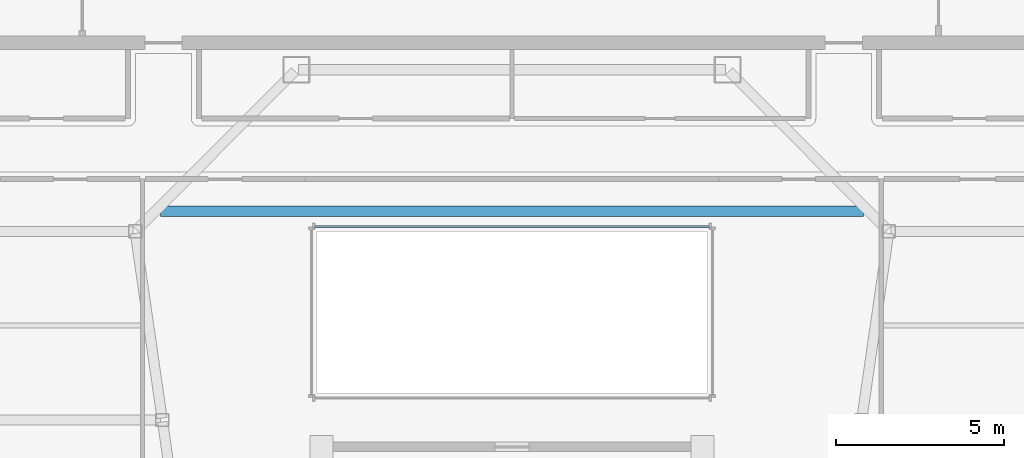
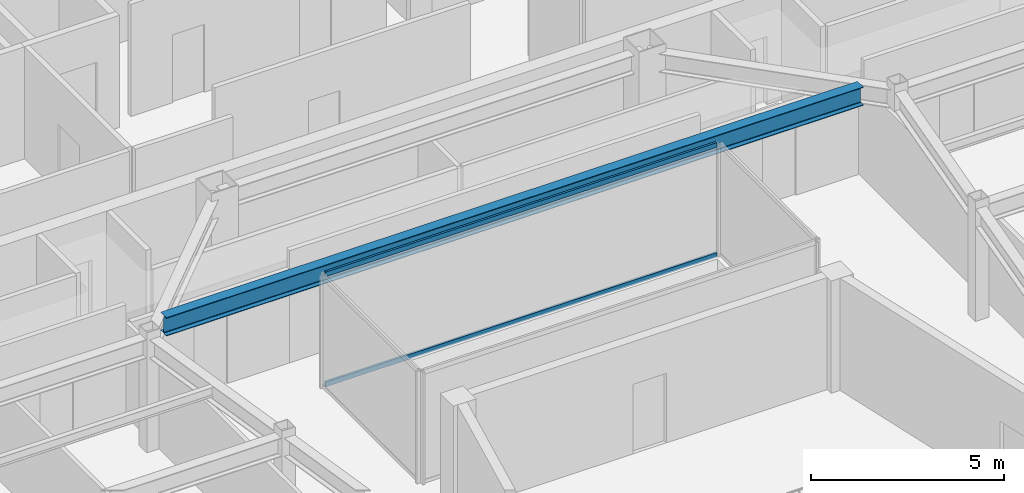
# One storey, part 9 of 31: 2 members, 1 beam, 1 element without a shape of its own.
"""IFC4 building model written with IfcOpenShell, lengths in metres."""

import ifcopenshell
import ifcopenshell.guid

model = None  # the IFC model being written
_history = None  # IfcOwnerHistory: only IFC2X3 demands one
_inside = {}  # id of a spatial element -> (the spatial element, [elements in it])
_under = {}  # id of a project, library or spatial element -> (it, [spatial elements below it])
_declared = {}  # id of a project -> (the project, [libraries it declares])
_typed = {}  # id of a type object -> (the type object, [elements of that type])
_made_of = {}  # id of a material, layer set ... -> (it, [elements and type objects made of it])


def new_model(schema):
    """Start an empty IFC model of exactly this schema.

    Asked for "IFC4X3", IfcOpenShell would pick the latest addendum, in which some entities
    have other attributes; the version numbers below select the first issue.
    IFC2X3 requires an IfcOwnerHistory on every rooted entity: one is made here for all.
    """
    global model, _history
    if schema == "IFC4X3":
        model = ifcopenshell.file(schema_version=(4, 3, 0, 0))
    else:
        model = ifcopenshell.file(schema=schema)
    _inside.clear()
    _under.clear()
    _declared.clear()
    _typed.clear()
    _made_of.clear()
    _history = None
    if model.schema == "IFC2X3":
        org = make("IfcOrganization", Name="unknown")
        user = make(
            "IfcPersonAndOrganization",
            ThePerson=make("IfcPerson", FamilyName="unknown"),
            TheOrganization=org,
        )
        app = make(
            "IfcApplication",
            ApplicationDeveloper=org,
            Version="unknown",
            ApplicationFullName="unknown",
            ApplicationIdentifier="unknown",
        )
        _history = make(
            "IfcOwnerHistory",
            OwningUser=user,
            OwningApplication=app,
            ChangeAction="ADDED",
            CreationDate=0,
        )
    return model


def make(cls, **values):
    """One entity of the class cls with the attributes given. An attribute that is None is left unset."""
    return model.create_entity(
        cls, **{name: value for name, value in values.items() if value is not None}
    )


def rooted(cls, **values):
    """An entity with a GlobalId (a new one), such as an element, a storey or a relation."""
    return make(cls, GlobalId=ifcopenshell.guid.new(), OwnerHistory=_history, **values)


def si_unit(unit_type, name, prefix=None):
    """IfcSIUnit, for example si_unit("LENGTHUNIT", "METRE", prefix="MILLI")."""
    return make("IfcSIUnit", UnitType=unit_type, Prefix=prefix, Name=name)


def assignment(units):
    """IfcUnitAssignment: the units of a project."""
    return None if units is None else make("IfcUnitAssignment", Units=units)


def point(xyz):
    """IfcCartesianPoint."""
    return None if xyz is None else make("IfcCartesianPoint", Coordinates=xyz)


def direction(xyz):
    """IfcDirection."""
    return None if xyz is None else make("IfcDirection", DirectionRatios=xyz)


def frame(location, z_axis=None, x_axis=None):
    """IfcAxis2Placement3D, a coordinate frame: its origin and axes. An axis left out is left unset."""
    return make(
        "IfcAxis2Placement3D",
        Location=point(location),
        Axis=direction(z_axis),
        RefDirection=direction(x_axis),
    )


def frame_2d(location, x_axis=None):
    """IfcAxis2Placement2D, a coordinate frame in the plane: its origin and x axis."""
    return make(
        "IfcAxis2Placement2D", Location=point(location), RefDirection=direction(x_axis)
    )


def origin():
    """The frame at (0, 0, 0) with its axes left unset."""
    return frame((0.0, 0.0, 0.0))


def origin_2d():
    """The frame at (0, 0) in the plane with its x axis left unset."""
    return frame_2d((0.0, 0.0))


def place(relative_to, where):
    """IfcLocalPlacement: puts the frame where relative to a parent placement (None: the world)."""
    return make(
        "IfcLocalPlacement", PlacementRelTo=relative_to, RelativePlacement=where
    )


def context(
    kind, dimensions, precision=None, world=None, true_north=None, identifier=None
):
    """IfcGeometricRepresentationContext, for example the 3D "Model" context."""
    return make(
        "IfcGeometricRepresentationContext",
        ContextIdentifier=identifier,
        ContextType=kind,
        CoordinateSpaceDimension=dimensions,
        Precision=precision,
        WorldCoordinateSystem=world,
        TrueNorth=true_north,
    )


def subcontext(parent, identifier, kind, view, scale=None):
    """IfcGeometricRepresentationSubContext, for example "Body" below "Model"."""
    return make(
        "IfcGeometricRepresentationSubContext",
        ContextIdentifier=identifier,
        ContextType=kind,
        ParentContext=parent,
        TargetScale=scale,
        TargetView=view,
    )


def project(units=None, contexts=None):
    """IfcProject with its units and contexts."""
    return rooted(
        "IfcProject",
        Name="project",
        RepresentationContexts=contexts,
        UnitsInContext=assignment(units),
    )


def spatial(cls, under=None, at=None, **own):
    """A site, building, storey or space (cls), placed at a placement, below another one or the project."""
    s = rooted(cls, ObjectPlacement=at, **own)
    if under is not None:
        _under.setdefault(under.id(), (under, []))[1].append(s)
    return s


def profile(cls, at=None, kind="AREA", **sizes):
    """A parametric profile (cls). Its sizes go by their IFC names, for example OverallWidth=200.0."""
    return make(cls, ProfileType=kind, Position=at, **sizes)


def hollow_rectangle(**sizes):
    """IfcRectangleHollowProfileDef."""
    return profile("IfcRectangleHollowProfileDef", **sizes)


def i_section(**sizes):
    """IfcIShapeProfileDef."""
    return profile("IfcIShapeProfileDef", **sizes)


def extrude(swept, where, along, depth):
    """IfcExtrudedAreaSolid: the profile swept, set in the frame where, extruded along a direction by depth."""
    return make(
        "IfcExtrudedAreaSolid",
        SweptArea=swept,
        Position=where,
        ExtrudedDirection=direction(along),
        Depth=depth,
    )


def shape(context_of_items, identifier, shape_type, items):
    """IfcShapeRepresentation: the items that make up one representation, for example the "Body"."""
    return make(
        "IfcShapeRepresentation",
        ContextOfItems=context_of_items,
        RepresentationIdentifier=identifier,
        RepresentationType=shape_type,
        Items=items,
    )


def material(Name=None, Category=None):
    """IfcMaterial."""
    return make("IfcMaterial", Name=Name, Category=Category)


def material_profile(
    of_material, cross_section, Name=None, Category=None, Priority=None
):
    """IfcMaterialProfile: a cross section and its material."""
    return make(
        "IfcMaterialProfile",
        Name=Name,
        Material=of_material,
        Profile=cross_section,
        Priority=Priority,
        Category=Category,
    )


def profile_set(profiles, Name=None, composite=None):
    """IfcMaterialProfileSet."""
    return make(
        "IfcMaterialProfileSet",
        Name=Name,
        MaterialProfiles=profiles,
        CompositeProfile=composite,
    )


def made_of(thing, what):
    """Note that an element or type object is made of a material, layer set ...; save() writes the relation."""
    if what is not None:
        _made_of.setdefault(what.id(), (what, []))[1].append(thing)
    return thing


def type_object(cls, material=None, **own):
    """A type object (cls), such as IfcWallType, which elements share."""
    return made_of(rooted(cls, **own), material)


def element(
    cls,
    number,
    at=None,
    inside=None,
    cuts=None,
    type_object=None,
    material=None,
    context=None,
    identifier="Body",
    shape_type=None,
    held_by="IfcProductDefinitionShape",
    body=None,
    shapes=None,
    **own,
):
    """One element of the class cls, such as IfcWall. Its Tag is "e" and its number.

    at: its placement. inside: the storey or other place that contains it. cuts: it is an
    opening in that element (IfcRelVoidsElement). A single representation is given by context,
    identifier, shape_type and body (its items); several are given by shapes. held_by: the class
    of the entity that holds the representations. save() writes the other relations.
    """
    e = rooted(cls, Tag="e%d" % number, ObjectPlacement=at, **own)
    if body is not None:
        shapes = [shape(context, identifier, shape_type, body)]
    if shapes is not None:
        e.Representation = make(held_by, Representations=shapes)
    if inside is not None:
        _inside.setdefault(inside.id(), (inside, []))[1].append(e)
    if cuts is not None:
        rooted(
            "IfcRelVoidsElement", RelatingBuildingElement=cuts, RelatedOpeningElement=e
        )
    if type_object is not None:
        _typed.setdefault(type_object.id(), (type_object, []))[1].append(e)
    return made_of(e, material)


def aggregate(whole, parts):
    """IfcRelAggregates: a whole, such as a stair, and the parts it consists of."""
    return rooted("IfcRelAggregates", RelatingObject=whole, RelatedObjects=parts)


def save(model, path):
    """Write the relations noted so far, then the file.

    IfcRelAggregates (storeys below a building ...), IfcRelContainedInSpatialStructure (elements
    in a storey), IfcRelDefinesByType, IfcRelAssociatesMaterial and IfcRelDeclares: one each for
    every whole, place, type object, material and project.
    """
    for whole, parts in _under.values():
        aggregate(whole, parts)
    for where, things in _inside.values():
        rooted(
            "IfcRelContainedInSpatialStructure",
            RelatedElements=things,
            RelatingStructure=where,
        )
    for kind, things in _typed.values():
        rooted("IfcRelDefinesByType", RelatedObjects=things, RelatingType=kind)
    for what, things in _made_of.values():
        rooted("IfcRelAssociatesMaterial", RelatedObjects=things, RelatingMaterial=what)
    for by, libraries in _declared.values():
        rooted("IfcRelDeclares", RelatingContext=by, RelatedDefinitions=libraries)
    model.write(path)


model = new_model("IFC4")

# Units and contexts
model_context = context("Model", 3, precision=1e-05, world=origin(), true_north=direction((0.0, 1.0)))
body_context = subcontext(model_context, "Body", "Model", "MODEL_VIEW")
ifc_project = project(units=[si_unit("LENGTHUNIT", "METRE"), si_unit("AREAUNIT", "SQUARE_METRE"), si_unit("VOLUMEUNIT", "CUBIC_METRE"), si_unit("PLANEANGLEUNIT", "RADIAN"), si_unit("MASSUNIT", "GRAM", prefix="KILO")], contexts=[model_context])

# Site, building, storey
site_placement = place(None, origin())
site = spatial("IfcSite", under=ifc_project, at=site_placement, CompositionType="ELEMENT")
building_placement = place(site_placement, origin())
building = spatial("IfcBuilding", under=site, at=building_placement, Name="Saevonmaru Cultural Tower", CompositionType="ELEMENT")
storey_placement = place(building_placement, frame((0.0, 0.0, 230.60009765625)))
storey = spatial("IfcBuildingStorey", under=building, at=storey_placement, Name="L53", CompositionType="ELEMENT", Elevation=230.60009765625)

# Beam
ifc_material_1 = material(Name="Steel SM355", Category="steel")
ifc_material_profile_1 = material_profile(ifc_material_1, i_section(OverallWidth=0.300048828125, OverallDepth=0.587890625, WebThickness=0.011962890625, FlangeThickness=0.02001953125, FilletRadius=0.02392578125, at=origin_2d()), Name="H-588x300x12x20")
ifc_profile_set_1 = profile_set([ifc_material_profile_1], Name="Steel SM355")
beam_type = type_object("IfcBeamType", Name="BM-G-H588", PredefinedType="BEAM", material=ifc_profile_set_1)
beam_placement = place(storey_placement, frame((19.56494140625, 38.199951171875, 3.255859375), z_axis=(1.0, 0.0, 0.0), x_axis=(0.0, 1.0, 0.0)))
element("IfcBeam", 1, at=beam_placement, inside=storey, type_object=beam_type, Name="L53 Central Link Girder", PredefinedType="BEAM", context=body_context, shape_type="SweptSolid", body=[
    extrude(i_section(OverallWidth=0.300048828125, OverallDepth=0.587890625, WebThickness=0.011962890625, FlangeThickness=0.02001953125, FilletRadius=0.02392578125, at=origin_2d()), origin(), (0.0, 0.0, 1.0), 20.8701171875),
])

# Curtain wall, members
ifc_material_2 = material(Name="Satin Bronze Anodised Aluminium", Category="aluminium")
curtain_wall_type = type_object("IfcCurtainWallType", Name="CW-ATR-GLZ", PredefinedType="NOTDEFINED", material=ifc_material_2)
curtain_wall_placement = place(storey_placement, origin())
curtain_wall = element("IfcCurtainWall", 2, at=curtain_wall_placement, inside=storey, type_object=curtain_wall_type, Name="L53 Vertical Atrium Glazed Smoke Screen 3", PredefinedType="NOTDEFINED")
ifc_material_profile_2 = material_profile(ifc_material_2, hollow_rectangle(XDim=0.06494140625, YDim=0.14990234375, WallThickness=0.00390625, at=origin_2d()), Name="ALU-TRAN-150x65x4")
ifc_profile_set_2 = profile_set([ifc_material_profile_2], Name="Satin Bronze Anodised Aluminium")
member_type = type_object("IfcMemberType", Name="TR-CW-INT-150x65", PredefinedType="USERDEFINED", material=ifc_profile_set_2)
member_1_placement = place(storey_placement, frame((35.857421875, 37.75, 0.032470703125), z_axis=(-1.0, 0.0, 0.0), x_axis=(0.0, -1.0, 0.0)))
member_1 = element("IfcMember", 3, at=member_1_placement, type_object=member_type, Name="CW-ATR-L53-3 transom 1.1", ObjectType="TRANSOM", PredefinedType="USERDEFINED", context=body_context, shape_type="SweptSolid", body=[
    extrude(hollow_rectangle(XDim=0.06494140625, YDim=0.14990234375, WallThickness=0.00390625, at=origin_2d()), origin(), (0.0, 0.0, 1.0), 11.71484375),
])
member_2_placement = place(storey_placement, frame((35.857421875, 37.75, 3.517333984375), z_axis=(-1.0, 0.0, 0.0), x_axis=(0.0, -1.0, 0.0)))
member_2 = element("IfcMember", 4, at=member_2_placement, type_object=member_type, Name="CW-ATR-L53-3 transom 1.2", ObjectType="TRANSOM", PredefinedType="USERDEFINED", context=body_context, shape_type="SweptSolid", body=[
    extrude(hollow_rectangle(XDim=0.06494140625, YDim=0.14990234375, WallThickness=0.00390625, at=origin_2d()), origin(), (0.0, 0.0, 1.0), 11.71484375),
])
aggregate(curtain_wall, [member_1, member_2])

save(model, "model.ifc")
